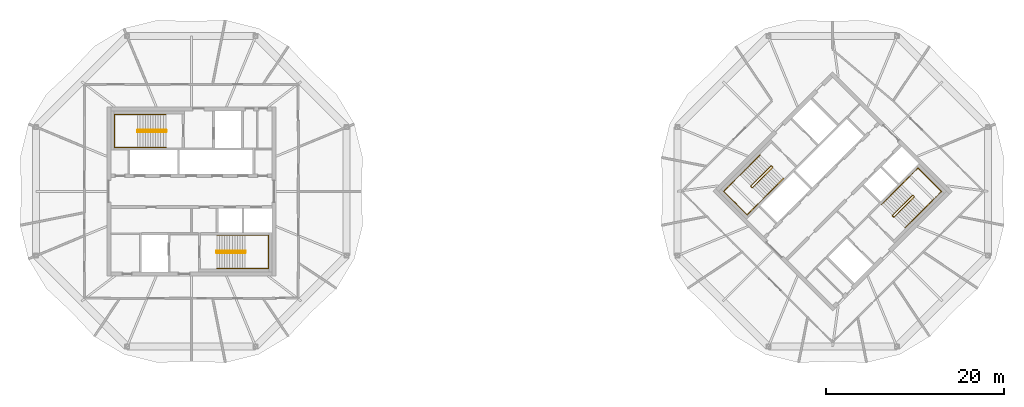
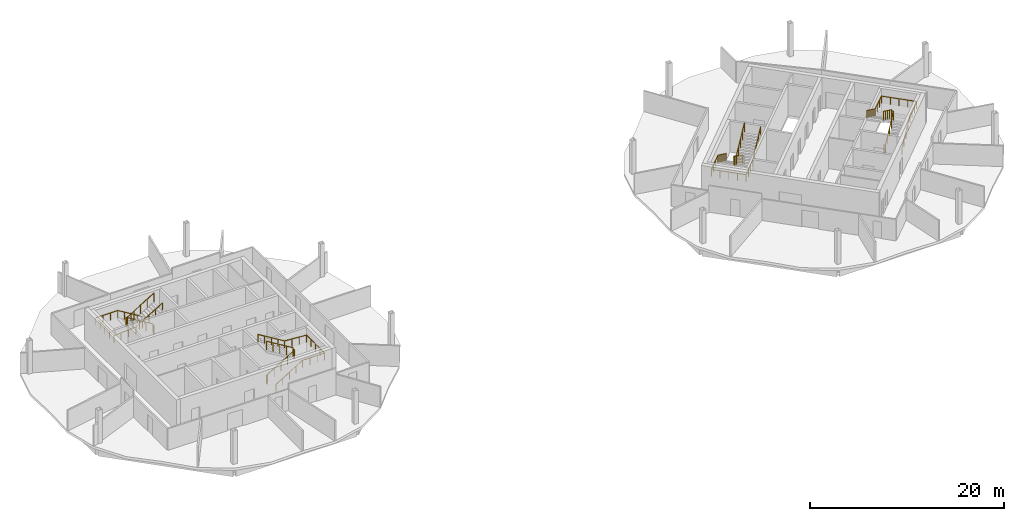
# One storey, part 10 of 10: 8 railings.
"""IFC4 building model written with IfcOpenShell, lengths in metres."""

import ifcopenshell
import ifcopenshell.guid

model = None  # the IFC model being written
_history = None  # IfcOwnerHistory: only IFC2X3 demands one
_inside = {}  # id of a spatial element -> (the spatial element, [elements in it])
_under = {}  # id of a project, library or spatial element -> (it, [spatial elements below it])
_declared = {}  # id of a project -> (the project, [libraries it declares])
_typed = {}  # id of a type object -> (the type object, [elements of that type])
_made_of = {}  # id of a material, layer set ... -> (it, [elements and type objects made of it])


def new_model(schema):
    """Start an empty IFC model of exactly this schema.

    Asked for "IFC4X3", IfcOpenShell would pick the latest addendum, in which some entities
    have other attributes; the version numbers below select the first issue.
    IFC2X3 requires an IfcOwnerHistory on every rooted entity: one is made here for all.
    """
    global model, _history
    if schema == "IFC4X3":
        model = ifcopenshell.file(schema_version=(4, 3, 0, 0))
    else:
        model = ifcopenshell.file(schema=schema)
    _inside.clear()
    _under.clear()
    _declared.clear()
    _typed.clear()
    _made_of.clear()
    _history = None
    if model.schema == "IFC2X3":
        org = make("IfcOrganization", Name="unknown")
        user = make(
            "IfcPersonAndOrganization",
            ThePerson=make("IfcPerson", FamilyName="unknown"),
            TheOrganization=org,
        )
        app = make(
            "IfcApplication",
            ApplicationDeveloper=org,
            Version="unknown",
            ApplicationFullName="unknown",
            ApplicationIdentifier="unknown",
        )
        _history = make(
            "IfcOwnerHistory",
            OwningUser=user,
            OwningApplication=app,
            ChangeAction="ADDED",
            CreationDate=0,
        )
    return model


def make(cls, **values):
    """One entity of the class cls with the attributes given. An attribute that is None is left unset."""
    return model.create_entity(
        cls, **{name: value for name, value in values.items() if value is not None}
    )


def rooted(cls, **values):
    """An entity with a GlobalId (a new one), such as an element, a storey or a relation."""
    return make(cls, GlobalId=ifcopenshell.guid.new(), OwnerHistory=_history, **values)


def si_unit(unit_type, name, prefix=None):
    """IfcSIUnit, for example si_unit("LENGTHUNIT", "METRE", prefix="MILLI")."""
    return make("IfcSIUnit", UnitType=unit_type, Prefix=prefix, Name=name)


def assignment(units):
    """IfcUnitAssignment: the units of a project."""
    return None if units is None else make("IfcUnitAssignment", Units=units)


def point(xyz):
    """IfcCartesianPoint."""
    return None if xyz is None else make("IfcCartesianPoint", Coordinates=xyz)


def direction(xyz):
    """IfcDirection."""
    return None if xyz is None else make("IfcDirection", DirectionRatios=xyz)


def frame(location, z_axis=None, x_axis=None):
    """IfcAxis2Placement3D, a coordinate frame: its origin and axes. An axis left out is left unset."""
    return make(
        "IfcAxis2Placement3D",
        Location=point(location),
        Axis=direction(z_axis),
        RefDirection=direction(x_axis),
    )


def frame_2d(location, x_axis=None):
    """IfcAxis2Placement2D, a coordinate frame in the plane: its origin and x axis."""
    return make(
        "IfcAxis2Placement2D", Location=point(location), RefDirection=direction(x_axis)
    )


def origin():
    """The frame at (0, 0, 0) with its axes left unset."""
    return frame((0.0, 0.0, 0.0))


def origin_2d():
    """The frame at (0, 0) in the plane with its x axis left unset."""
    return frame_2d((0.0, 0.0))


def place(relative_to, where):
    """IfcLocalPlacement: puts the frame where relative to a parent placement (None: the world)."""
    return make(
        "IfcLocalPlacement", PlacementRelTo=relative_to, RelativePlacement=where
    )


def context(
    kind, dimensions, precision=None, world=None, true_north=None, identifier=None
):
    """IfcGeometricRepresentationContext, for example the 3D "Model" context."""
    return make(
        "IfcGeometricRepresentationContext",
        ContextIdentifier=identifier,
        ContextType=kind,
        CoordinateSpaceDimension=dimensions,
        Precision=precision,
        WorldCoordinateSystem=world,
        TrueNorth=true_north,
    )


def subcontext(parent, identifier, kind, view, scale=None):
    """IfcGeometricRepresentationSubContext, for example "Body" below "Model"."""
    return make(
        "IfcGeometricRepresentationSubContext",
        ContextIdentifier=identifier,
        ContextType=kind,
        ParentContext=parent,
        TargetScale=scale,
        TargetView=view,
    )


def project(units=None, contexts=None):
    """IfcProject with its units and contexts."""
    return rooted(
        "IfcProject",
        Name="project",
        RepresentationContexts=contexts,
        UnitsInContext=assignment(units),
    )


def spatial(cls, under=None, at=None, **own):
    """A site, building, storey or space (cls), placed at a placement, below another one or the project."""
    s = rooted(cls, ObjectPlacement=at, **own)
    if under is not None:
        _under.setdefault(under.id(), (under, []))[1].append(s)
    return s


def profile(cls, at=None, kind="AREA", **sizes):
    """A parametric profile (cls). Its sizes go by their IFC names, for example OverallWidth=200.0."""
    return make(cls, ProfileType=kind, Position=at, **sizes)


def circle(**sizes):
    """IfcCircleProfileDef."""
    return profile("IfcCircleProfileDef", **sizes)


def extrude(swept, where, along, depth):
    """IfcExtrudedAreaSolid: the profile swept, set in the frame where, extruded along a direction by depth."""
    return make(
        "IfcExtrudedAreaSolid",
        SweptArea=swept,
        Position=where,
        ExtrudedDirection=direction(along),
        Depth=depth,
    )


def shape(context_of_items, identifier, shape_type, items):
    """IfcShapeRepresentation: the items that make up one representation, for example the "Body"."""
    return make(
        "IfcShapeRepresentation",
        ContextOfItems=context_of_items,
        RepresentationIdentifier=identifier,
        RepresentationType=shape_type,
        Items=items,
    )


def material(Name=None, Category=None):
    """IfcMaterial."""
    return make("IfcMaterial", Name=Name, Category=Category)


def made_of(thing, what):
    """Note that an element or type object is made of a material, layer set ...; save() writes the relation."""
    if what is not None:
        _made_of.setdefault(what.id(), (what, []))[1].append(thing)
    return thing


def type_object(cls, material=None, **own):
    """A type object (cls), such as IfcWallType, which elements share."""
    return made_of(rooted(cls, **own), material)


def element(
    cls,
    number,
    at=None,
    inside=None,
    cuts=None,
    type_object=None,
    material=None,
    context=None,
    identifier="Body",
    shape_type=None,
    held_by="IfcProductDefinitionShape",
    body=None,
    shapes=None,
    **own,
):
    """One element of the class cls, such as IfcWall. Its Tag is "e" and its number.

    at: its placement. inside: the storey or other place that contains it. cuts: it is an
    opening in that element (IfcRelVoidsElement). A single representation is given by context,
    identifier, shape_type and body (its items); several are given by shapes. held_by: the class
    of the entity that holds the representations. save() writes the other relations.
    """
    e = rooted(cls, Tag="e%d" % number, ObjectPlacement=at, **own)
    if body is not None:
        shapes = [shape(context, identifier, shape_type, body)]
    if shapes is not None:
        e.Representation = make(held_by, Representations=shapes)
    if inside is not None:
        _inside.setdefault(inside.id(), (inside, []))[1].append(e)
    if cuts is not None:
        rooted(
            "IfcRelVoidsElement", RelatingBuildingElement=cuts, RelatedOpeningElement=e
        )
    if type_object is not None:
        _typed.setdefault(type_object.id(), (type_object, []))[1].append(e)
    return made_of(e, material)


def aggregate(whole, parts):
    """IfcRelAggregates: a whole, such as a stair, and the parts it consists of."""
    return rooted("IfcRelAggregates", RelatingObject=whole, RelatedObjects=parts)


def save(model, path):
    """Write the relations noted so far, then the file.

    IfcRelAggregates (storeys below a building ...), IfcRelContainedInSpatialStructure (elements
    in a storey), IfcRelDefinesByType, IfcRelAssociatesMaterial and IfcRelDeclares: one each for
    every whole, place, type object, material and project.
    """
    for whole, parts in _under.values():
        aggregate(whole, parts)
    for where, things in _inside.values():
        rooted(
            "IfcRelContainedInSpatialStructure",
            RelatedElements=things,
            RelatingStructure=where,
        )
    for kind, things in _typed.values():
        rooted("IfcRelDefinesByType", RelatedObjects=things, RelatingType=kind)
    for what, things in _made_of.values():
        rooted("IfcRelAssociatesMaterial", RelatedObjects=things, RelatingMaterial=what)
    for by, libraries in _declared.values():
        rooted("IfcRelDeclares", RelatingContext=by, RelatedDefinitions=libraries)
    model.write(path)


model = new_model("IFC4")

# Units and contexts
model_context = context("Model", 3, precision=1e-05, world=origin(), true_north=direction((0.0, 1.0)))
body_context = subcontext(model_context, "Body", "Model", "MODEL_VIEW")
ifc_project = project(units=[si_unit("LENGTHUNIT", "METRE"), si_unit("AREAUNIT", "SQUARE_METRE"), si_unit("VOLUMEUNIT", "CUBIC_METRE"), si_unit("PLANEANGLEUNIT", "RADIAN"), si_unit("MASSUNIT", "GRAM", prefix="KILO")], contexts=[model_context])

# Site, building, storey
site_placement = place(None, origin())
site = spatial("IfcSite", under=ifc_project, at=site_placement, CompositionType="ELEMENT")
building_placement = place(site_placement, origin())
building = spatial("IfcBuilding", under=site, at=building_placement, Name="Ogive Gate Towers", CompositionType="ELEMENT")
storey_placement = place(building_placement, frame((0.0, 0.0, 260.39990234375)))
storey = spatial("IfcBuildingStorey", under=building, at=storey_placement, Name="L61", CompositionType="ELEMENT", Elevation=260.39990234375)

# Railings
ifc_material = material(Name="Stainless steel", Category="steel")
railing_type_1 = type_object("IfcRailingType", Name="Stair guard 1100", PredefinedType="GUARDRAIL", material=ifc_material)
railing_1_placement = place(storey_placement, frame((-38.81494140625, 6.860107421875, 0.0)))
element("IfcRailing", 1, at=railing_1_placement, inside=storey, type_object=railing_type_1, Name="L61 ST1 stair guard 1", PredefinedType="GUARDRAIL", context=body_context, shape_type="SweptSolid", body=[
    extrude(circle(Radius=0.02392578125, at=origin_2d()), frame((0.0, 0.0, 1.076171875), z_axis=(0.0, -1.0, 0.0), x_axis=(1.0, 0.0, 0.0)), (0.0, 0.0, 1.0), 0.14501953125),
    extrude(circle(Radius=0.02392578125, at=origin_2d()), frame((0.0, -0.14501953125, 1.076171875), z_axis=(-0.187693211448, 0.730630159683, 0.656468451746), x_axis=(-0.968551454522, -0.24881334358, 0.0)), (0.0, 0.0, 1.0), 0.2666015625),
    extrude(circle(Radius=0.02392578125, at=origin_2d()), frame((-0.050048828125, 0.0498046875, 1.2509765625), z_axis=(-0.854199828955, 0.0, 0.519944854973), x_axis=(0.0, -1.0, 0.0)), (0.0, 0.0, 1.0), 3.702392578125),
    extrude(circle(Radius=0.02392578125, at=origin_2d()), frame((-3.212646484375, 0.0498046875, 3.17626953125), z_axis=(-0.707106781187, -0.707106781187, 0.0), x_axis=(0.707106781187, -0.707106781187, 0.0)), (0.0, 0.0, 1.0), 0.0703125),
    extrude(circle(Radius=0.02392578125, at=origin_2d()), frame((-3.262451171875, 0.0, 3.17626953125), z_axis=(0.0, -1.0, 0.0), x_axis=(1.0, 0.0, 0.0)), (0.0, 0.0, 1.0), 0.14501953125),
    extrude(circle(Radius=0.02392578125, at=origin_2d()), frame((-3.262451171875, -0.14501953125, 3.17626953125), z_axis=(0.263862480399, -0.265155923931, 0.927399011991), x_axis=(0.708833529934, 0.705375805398, 0.0)), (0.0, 0.0, 1.0), 0.188720703125),
    extrude(circle(Radius=0.02392578125, at=origin_2d()), frame((-3.212646484375, -0.195068359375, 3.35107421875), z_axis=(0.854199828955, 0.0, 0.519944854973), x_axis=(0.0, 1.0, 0.0)), (0.0, 0.0, 1.0), 3.702392578125),
    extrude(circle(Radius=0.02099609375, at=origin_2d()), origin(), (0.0, 0.0, 1.0), 1.052001953125),
    extrude(circle(Radius=0.02099609375, at=origin_2d()), frame((0.0, -0.14501953125, 0.0)), (0.0, 0.0, 1.0), 1.052001953125),
    extrude(circle(Radius=0.02099609375, at=origin_2d()), frame((-0.050048828125, 0.0498046875, 0.175048828125)), (0.0, 0.0, 1.0), 1.052001953125),
    extrude(circle(Radius=0.02099609375, at=origin_2d()), frame((-0.8408203125, 0.0498046875, 0.65625)), (0.0, 0.0, 1.0), 1.052001953125),
    extrude(circle(Radius=0.02099609375, at=origin_2d()), frame((-1.63134765625, 0.0498046875, 1.1376953125)), (0.0, 0.0, 1.0), 1.052001953125),
    extrude(circle(Radius=0.02099609375, at=origin_2d()), frame((-2.421875, 0.0498046875, 1.618896484375)), (0.0, 0.0, 1.0), 1.052001953125),
    extrude(circle(Radius=0.02099609375, at=origin_2d()), frame((-3.212646484375, 0.0498046875, 2.10009765625)), (0.0, 0.0, 1.0), 1.052001953125),
    extrude(circle(Radius=0.02099609375, at=origin_2d()), frame((-3.262451171875, 0.0, 2.10009765625)), (0.0, 0.0, 1.0), 1.052001953125),
    extrude(circle(Radius=0.02099609375, at=origin_2d()), frame((-3.262451171875, -0.14501953125, 2.10009765625)), (0.0, 0.0, 1.0), 1.052001953125),
    extrude(circle(Radius=0.02099609375, at=origin_2d()), frame((-3.212646484375, -0.195068359375, 2.275146484375)), (0.0, 0.0, 1.0), 1.052001953125),
    extrude(circle(Radius=0.02099609375, at=origin_2d()), frame((-2.421875, -0.195068359375, 2.75634765625)), (0.0, 0.0, 1.0), 1.052001953125),
    extrude(circle(Radius=0.02099609375, at=origin_2d()), frame((-1.63134765625, -0.195068359375, 3.23779296875)), (0.0, 0.0, 1.0), 1.052001953125),
    extrude(circle(Radius=0.02099609375, at=origin_2d()), frame((-0.8408203125, -0.195068359375, 3.718994140625)), (0.0, 0.0, 1.0), 1.052001953125),
    extrude(circle(Radius=0.02099609375, at=origin_2d()), frame((-0.050048828125, -0.195068359375, 4.2001953125)), (0.0, 0.0, 1.0), 1.052001953125),
])
railing_2_placement = place(storey_placement, frame((-33.18505859375, -6.860107421875, 0.0)))
element("IfcRailing", 2, at=railing_2_placement, inside=storey, type_object=railing_type_1, Name="L61 ST2 stair guard 1", PredefinedType="GUARDRAIL", context=body_context, shape_type="SweptSolid", body=[
    extrude(circle(Radius=0.02392578125, at=origin_2d()), frame((0.0, 0.0, 1.076171875), z_axis=(0.0, 1.0, 0.0), x_axis=(-1.0, 0.0, 0.0)), (0.0, 0.0, 1.0), 0.14501953125),
    extrude(circle(Radius=0.02392578125, at=origin_2d()), frame((0.0, 0.14501953125, 1.076171875), z_axis=(0.187693211448, -0.730630159683, 0.656468451746), x_axis=(0.968551454522, 0.24881334358, 0.0)), (0.0, 0.0, 1.0), 0.2666015625),
    extrude(circle(Radius=0.02392578125, at=origin_2d()), frame((0.050048828125, -0.0498046875, 1.2509765625), z_axis=(0.854199828955, 0.0, 0.519944854973), x_axis=(0.0, 1.0, 0.0)), (0.0, 0.0, 1.0), 3.702392578125),
    extrude(circle(Radius=0.02392578125, at=origin_2d()), frame((3.212646484375, -0.0498046875, 3.17626953125), z_axis=(0.707106781187, 0.707106781187, 0.0), x_axis=(-0.707106781187, 0.707106781187, 0.0)), (0.0, 0.0, 1.0), 0.0703125),
    extrude(circle(Radius=0.02392578125, at=origin_2d()), frame((3.262451171875, 0.0, 3.17626953125), z_axis=(0.0, 1.0, 0.0), x_axis=(-1.0, 0.0, 0.0)), (0.0, 0.0, 1.0), 0.14501953125),
    extrude(circle(Radius=0.02392578125, at=origin_2d()), frame((3.262451171875, 0.14501953125, 3.17626953125), z_axis=(-0.263862480399, 0.265155923931, 0.927399011991), x_axis=(-0.708833529934, -0.705375805398, 0.0)), (0.0, 0.0, 1.0), 0.188720703125),
    extrude(circle(Radius=0.02392578125, at=origin_2d()), frame((3.212646484375, 0.195068359375, 3.35107421875), z_axis=(-0.854199828955, 0.0, 0.519944854973), x_axis=(0.0, -1.0, 0.0)), (0.0, 0.0, 1.0), 3.702392578125),
    extrude(circle(Radius=0.02099609375, at=origin_2d()), origin(), (0.0, 0.0, 1.0), 1.052001953125),
    extrude(circle(Radius=0.02099609375, at=origin_2d()), frame((0.0, 0.14501953125, 0.0)), (0.0, 0.0, 1.0), 1.052001953125),
    extrude(circle(Radius=0.02099609375, at=origin_2d()), frame((0.050048828125, -0.0498046875, 0.175048828125)), (0.0, 0.0, 1.0), 1.052001953125),
    extrude(circle(Radius=0.02099609375, at=origin_2d()), frame((0.8408203125, -0.0498046875, 0.65625)), (0.0, 0.0, 1.0), 1.052001953125),
    extrude(circle(Radius=0.02099609375, at=origin_2d()), frame((1.63134765625, -0.0498046875, 1.1376953125)), (0.0, 0.0, 1.0), 1.052001953125),
    extrude(circle(Radius=0.02099609375, at=origin_2d()), frame((2.421875, -0.0498046875, 1.618896484375)), (0.0, 0.0, 1.0), 1.052001953125),
    extrude(circle(Radius=0.02099609375, at=origin_2d()), frame((3.212646484375, -0.0498046875, 2.10009765625)), (0.0, 0.0, 1.0), 1.052001953125),
    extrude(circle(Radius=0.02099609375, at=origin_2d()), frame((3.262451171875, 0.0, 2.10009765625)), (0.0, 0.0, 1.0), 1.052001953125),
    extrude(circle(Radius=0.02099609375, at=origin_2d()), frame((3.262451171875, 0.14501953125, 2.10009765625)), (0.0, 0.0, 1.0), 1.052001953125),
    extrude(circle(Radius=0.02099609375, at=origin_2d()), frame((3.212646484375, 0.195068359375, 2.275146484375)), (0.0, 0.0, 1.0), 1.052001953125),
    extrude(circle(Radius=0.02099609375, at=origin_2d()), frame((2.421875, 0.195068359375, 2.75634765625)), (0.0, 0.0, 1.0), 1.052001953125),
    extrude(circle(Radius=0.02099609375, at=origin_2d()), frame((1.63134765625, 0.195068359375, 3.23779296875)), (0.0, 0.0, 1.0), 1.052001953125),
    extrude(circle(Radius=0.02099609375, at=origin_2d()), frame((0.8408203125, 0.195068359375, 3.718994140625)), (0.0, 0.0, 1.0), 1.052001953125),
    extrude(circle(Radius=0.02099609375, at=origin_2d()), frame((0.050048828125, 0.195068359375, 4.2001953125)), (0.0, 0.0, 1.0), 1.052001953125),
])
railing_3_placement = place(storey_placement, frame((29.15869140625, 2.8603515625, 0.0)))
element("IfcRailing", 3, at=railing_3_placement, inside=storey, type_object=railing_type_1, Name="L61 ST1 stair guard 1", PredefinedType="GUARDRAIL", context=body_context, shape_type="SweptSolid", body=[
    extrude(circle(Radius=0.02392578125, at=origin_2d()), frame((0.0, 0.0, 1.076171875), z_axis=(0.707106781187, -0.707106781187, 0.0), x_axis=(0.707106781187, 0.707106781187, 0.0)), (0.0, 0.0, 1.0), 0.14501953125),
    extrude(circle(Radius=0.02392578125, at=origin_2d()), frame((0.1025390625, -0.1025390625, 1.076171875), z_axis=(-0.649075284728, 0.384501579105, 0.65639912433), x_axis=(-0.509669330572, -0.860370369942, 0.0)), (0.0, 0.0, 1.0), 0.2666015625),
    extrude(circle(Radius=0.02392578125, at=origin_2d()), frame((-0.070556640625, 0.0, 1.2509765625), z_axis=(-0.604012965068, -0.604012965068, 0.519939108031), x_axis=(0.707106781187, -0.707106781187, 0.0)), (0.0, 0.0, 1.0), 3.702392578125),
    extrude(circle(Radius=0.02392578125, at=origin_2d()), frame((-2.306884765625, -2.236328125, 3.17626953125), z_axis=(0.0, -1.0, 0.0), x_axis=(1.0, 0.0, 0.0)), (0.0, 0.0, 1.0), 0.07080078125),
    extrude(circle(Radius=0.02392578125, at=origin_2d()), frame((-2.306884765625, -2.30712890625, 3.17626953125), z_axis=(0.707106781187, -0.707106781187, 0.0), x_axis=(0.707106781187, 0.707106781187, 0.0)), (0.0, 0.0, 1.0), 0.14501953125),
    extrude(circle(Radius=0.02392578125, at=origin_2d()), frame((-2.204345703125, -2.40966796875, 3.17626953125), z_axis=(0.374954686889, 0.0, 0.927043139654), x_axis=(0.0, 1.0, 0.0)), (0.0, 0.0, 1.0), 0.188720703125),
    extrude(circle(Radius=0.02392578125, at=origin_2d()), frame((-2.133544921875, -2.40966796875, 3.35107421875), z_axis=(0.603971079388, 0.604037022294, 0.51995981668), x_axis=(-0.707145379772, 0.707068180494, 0.0)), (0.0, 0.0, 1.0), 3.702392578125),
    extrude(circle(Radius=0.02099609375, at=origin_2d()), origin(), (0.0, 0.0, 1.0), 1.052001953125),
    extrude(circle(Radius=0.02099609375, at=origin_2d()), frame((0.1025390625, -0.1025390625, 0.0)), (0.0, 0.0, 1.0), 1.052001953125),
    extrude(circle(Radius=0.02099609375, at=origin_2d()), frame((-0.070556640625, 0.0, 0.175048828125)), (0.0, 0.0, 1.0), 1.052001953125),
    extrude(circle(Radius=0.02099609375, at=origin_2d()), frame((-0.629638671875, -0.55908203125, 0.65625)), (0.0, 0.0, 1.0), 1.052001953125),
    extrude(circle(Radius=0.02099609375, at=origin_2d()), frame((-1.188720703125, -1.1181640625, 1.1376953125)), (0.0, 0.0, 1.0), 1.052001953125),
    extrude(circle(Radius=0.02099609375, at=origin_2d()), frame((-1.747802734375, -1.67724609375, 1.618896484375)), (0.0, 0.0, 1.0), 1.052001953125),
    extrude(circle(Radius=0.02099609375, at=origin_2d()), frame((-2.306884765625, -2.236328125, 2.10009765625)), (0.0, 0.0, 1.0), 1.052001953125),
    extrude(circle(Radius=0.02099609375, at=origin_2d()), frame((-2.306884765625, -2.30712890625, 2.10009765625)), (0.0, 0.0, 1.0), 1.052001953125),
    extrude(circle(Radius=0.02099609375, at=origin_2d()), frame((-2.204345703125, -2.40966796875, 2.10009765625)), (0.0, 0.0, 1.0), 1.052001953125),
    extrude(circle(Radius=0.02099609375, at=origin_2d()), frame((-2.133544921875, -2.40966796875, 2.275146484375)), (0.0, 0.0, 1.0), 1.052001953125),
    extrude(circle(Radius=0.02099609375, at=origin_2d()), frame((-1.574462890625, -1.8505859375, 2.75634765625)), (0.0, 0.0, 1.0), 1.052001953125),
    extrude(circle(Radius=0.02099609375, at=origin_2d()), frame((-1.015625, -1.29150390625, 3.23779296875)), (0.0, 0.0, 1.0), 1.052001953125),
    extrude(circle(Radius=0.02099609375, at=origin_2d()), frame((-0.45654296875, -0.732421875, 3.718994140625)), (0.0, 0.0, 1.0), 1.052001953125),
    extrude(circle(Radius=0.02099609375, at=origin_2d()), frame((0.1025390625, -0.17333984375, 4.2001953125)), (0.0, 0.0, 1.0), 1.052001953125),
])
railing_4_placement = place(storey_placement, frame((42.84130859375, -2.8603515625, 0.0)))
element("IfcRailing", 4, at=railing_4_placement, inside=storey, type_object=railing_type_1, Name="L61 ST2 stair guard 1", PredefinedType="GUARDRAIL", context=body_context, shape_type="SweptSolid", body=[
    extrude(circle(Radius=0.02392578125, at=origin_2d()), frame((0.0, 0.0, 1.076171875), z_axis=(-0.707106781187, 0.707106781187, 0.0), x_axis=(-0.707106781187, -0.707106781187, 0.0)), (0.0, 0.0, 1.0), 0.14501953125),
    extrude(circle(Radius=0.02392578125, at=origin_2d()), frame((-0.1025390625, 0.1025390625, 1.076171875), z_axis=(0.649075284728, -0.384501579105, 0.65639912433), x_axis=(0.509669330572, 0.860370369942, 0.0)), (0.0, 0.0, 1.0), 0.2666015625),
    extrude(circle(Radius=0.02392578125, at=origin_2d()), frame((0.070556640625, 0.0, 1.2509765625), z_axis=(0.604012965068, 0.604012965068, 0.519939108031), x_axis=(-0.707106781187, 0.707106781187, 0.0)), (0.0, 0.0, 1.0), 3.702392578125),
    extrude(circle(Radius=0.02392578125, at=origin_2d()), frame((2.306884765625, 2.236328125, 3.17626953125), z_axis=(0.0, 1.0, 0.0), x_axis=(-1.0, 0.0, 0.0)), (0.0, 0.0, 1.0), 0.07080078125),
    extrude(circle(Radius=0.02392578125, at=origin_2d()), frame((2.306884765625, 2.30712890625, 3.17626953125), z_axis=(-0.707106781187, 0.707106781187, 0.0), x_axis=(-0.707106781187, -0.707106781187, 0.0)), (0.0, 0.0, 1.0), 0.14501953125),
    extrude(circle(Radius=0.02392578125, at=origin_2d()), frame((2.204345703125, 2.40966796875, 3.17626953125), z_axis=(-0.374954686889, 0.0, 0.927043139654), x_axis=(0.0, -1.0, 0.0)), (0.0, 0.0, 1.0), 0.188720703125),
    extrude(circle(Radius=0.02392578125, at=origin_2d()), frame((2.133544921875, 2.40966796875, 3.35107421875), z_axis=(-0.603971079388, -0.604037022294, 0.51995981668), x_axis=(0.707145379772, -0.707068180494, 0.0)), (0.0, 0.0, 1.0), 3.702392578125),
    extrude(circle(Radius=0.02099609375, at=origin_2d()), origin(), (0.0, 0.0, 1.0), 1.052001953125),
    extrude(circle(Radius=0.02099609375, at=origin_2d()), frame((-0.1025390625, 0.1025390625, 0.0)), (0.0, 0.0, 1.0), 1.052001953125),
    extrude(circle(Radius=0.02099609375, at=origin_2d()), frame((0.070556640625, 0.0, 0.175048828125)), (0.0, 0.0, 1.0), 1.052001953125),
    extrude(circle(Radius=0.02099609375, at=origin_2d()), frame((0.629638671875, 0.55908203125, 0.65625)), (0.0, 0.0, 1.0), 1.052001953125),
    extrude(circle(Radius=0.02099609375, at=origin_2d()), frame((1.188720703125, 1.1181640625, 1.1376953125)), (0.0, 0.0, 1.0), 1.052001953125),
    extrude(circle(Radius=0.02099609375, at=origin_2d()), frame((1.747802734375, 1.67724609375, 1.618896484375)), (0.0, 0.0, 1.0), 1.052001953125),
    extrude(circle(Radius=0.02099609375, at=origin_2d()), frame((2.306884765625, 2.236328125, 2.10009765625)), (0.0, 0.0, 1.0), 1.052001953125),
    extrude(circle(Radius=0.02099609375, at=origin_2d()), frame((2.306884765625, 2.30712890625, 2.10009765625)), (0.0, 0.0, 1.0), 1.052001953125),
    extrude(circle(Radius=0.02099609375, at=origin_2d()), frame((2.204345703125, 2.40966796875, 2.10009765625)), (0.0, 0.0, 1.0), 1.052001953125),
    extrude(circle(Radius=0.02099609375, at=origin_2d()), frame((2.133544921875, 2.40966796875, 2.275146484375)), (0.0, 0.0, 1.0), 1.052001953125),
    extrude(circle(Radius=0.02099609375, at=origin_2d()), frame((1.574462890625, 1.8505859375, 2.75634765625)), (0.0, 0.0, 1.0), 1.052001953125),
    extrude(circle(Radius=0.02099609375, at=origin_2d()), frame((1.015625, 1.29150390625, 3.23779296875)), (0.0, 0.0, 1.0), 1.052001953125),
    extrude(circle(Radius=0.02099609375, at=origin_2d()), frame((0.45654296875, 0.732421875, 3.718994140625)), (0.0, 0.0, 1.0), 1.052001953125),
    extrude(circle(Radius=0.02099609375, at=origin_2d()), frame((-0.1025390625, 0.17333984375, 4.2001953125)), (0.0, 0.0, 1.0), 1.052001953125),
])
railing_type_2 = type_object("IfcRailingType", Name="Stair handrail 900", PredefinedType="HANDRAIL", material=ifc_material)
railing_5_placement = place(storey_placement, frame((-38.864990234375, 8.64990234375, 0.175048828125)))
element("IfcRailing", 5, at=railing_5_placement, inside=storey, type_object=railing_type_2, Name="L61 ST1 stair handrail 1", PredefinedType="HANDRAIL", context=body_context, shape_type="SweptSolid", body=[
    extrude(circle(Radius=0.02392578125, at=origin_2d()), frame((0.0, 0.0, 0.8759765625), z_axis=(-0.854199828955, 0.0, 0.519944854973), x_axis=(0.0, -1.0, 0.0)), (0.0, 0.0, 1.0), 3.702392578125),
    extrude(circle(Radius=0.02392578125, at=origin_2d()), frame((-3.16259765625, 0.0, 2.80078125), z_axis=(-1.0, 0.0, 0.0), x_axis=(0.0, -1.0, 0.0)), (0.0, 0.0, 1.0), 2.622314453125),
    extrude(circle(Radius=0.02392578125, at=origin_2d()), frame((-5.784912109375, 0.0, 2.80078125), z_axis=(0.0, -1.0, 0.0), x_axis=(1.0, 0.0, 0.0)), (0.0, 0.0, 1.0), 3.724853515625),
    extrude(circle(Radius=0.02392578125, at=origin_2d()), frame((-5.784912109375, -3.724853515625, 2.80078125), z_axis=(0.997779399599, 0.0, 0.066605328136), x_axis=(0.0, 1.0, 0.0)), (0.0, 0.0, 1.0), 2.628173828125),
    extrude(circle(Radius=0.02392578125, at=origin_2d()), frame((-3.16259765625, -3.724853515625, 2.97607421875), z_axis=(0.854199828955, 0.0, 0.519944854973), x_axis=(0.0, 1.0, 0.0)), (0.0, 0.0, 1.0), 3.702392578125),
    extrude(circle(Radius=0.02099609375, at=origin_2d()), origin(), (0.0, 0.0, 1.0), 0.851806640625),
    extrude(circle(Radius=0.02099609375, at=origin_2d()), frame((-0.79052734375, 0.0, 0.481201171875)), (0.0, 0.0, 1.0), 0.851806640625),
    extrude(circle(Radius=0.02099609375, at=origin_2d()), frame((-1.581298828125, 0.0, 0.96240234375)), (0.0, 0.0, 1.0), 0.851806640625),
    extrude(circle(Radius=0.02099609375, at=origin_2d()), frame((-2.3720703125, 0.0, 1.44384765625)), (0.0, 0.0, 1.0), 0.851806640625),
    extrude(circle(Radius=0.02099609375, at=origin_2d()), frame((-3.16259765625, 0.0, 1.925048828125)), (0.0, 0.0, 1.0), 0.851806640625),
    extrude(circle(Radius=0.02099609375, at=origin_2d()), frame((-4.03662109375, 0.0, 1.925048828125)), (0.0, 0.0, 1.0), 0.851806640625),
    extrude(circle(Radius=0.02099609375, at=origin_2d()), frame((-4.910888671875, 0.0, 1.925048828125)), (0.0, 0.0, 1.0), 0.851806640625),
    extrude(circle(Radius=0.02099609375, at=origin_2d()), frame((-5.784912109375, 0.0, 1.925048828125)), (0.0, 0.0, 1.0), 0.851806640625),
    extrude(circle(Radius=0.02099609375, at=origin_2d()), frame((-5.784912109375, -0.93115234375, 1.925048828125)), (0.0, 0.0, 1.0), 0.851806640625),
    extrude(circle(Radius=0.02099609375, at=origin_2d()), frame((-5.784912109375, -1.8623046875, 1.925048828125)), (0.0, 0.0, 1.0), 0.851806640625),
    extrude(circle(Radius=0.02099609375, at=origin_2d()), frame((-5.784912109375, -2.793701171875, 1.925048828125)), (0.0, 0.0, 1.0), 0.851806640625),
    extrude(circle(Radius=0.02099609375, at=origin_2d()), frame((-5.784912109375, -3.724853515625, 1.925048828125)), (0.0, 0.0, 1.0), 0.851806640625),
    extrude(circle(Radius=0.02099609375, at=origin_2d()), frame((-4.910888671875, -3.724853515625, 1.9833984375)), (0.0, 0.0, 1.0), 0.851806640625),
    extrude(circle(Radius=0.02099609375, at=origin_2d()), frame((-4.03662109375, -3.724853515625, 2.041748046875)), (0.0, 0.0, 1.0), 0.851806640625),
    extrude(circle(Radius=0.02099609375, at=origin_2d()), frame((-3.16259765625, -3.724853515625, 2.10009765625)), (0.0, 0.0, 1.0), 0.851806640625),
    extrude(circle(Radius=0.02099609375, at=origin_2d()), frame((-2.3720703125, -3.724853515625, 2.581298828125)), (0.0, 0.0, 1.0), 0.851806640625),
    extrude(circle(Radius=0.02099609375, at=origin_2d()), frame((-1.581298828125, -3.724853515625, 3.0625)), (0.0, 0.0, 1.0), 0.851806640625),
    extrude(circle(Radius=0.02099609375, at=origin_2d()), frame((-0.79052734375, -3.724853515625, 3.5439453125)), (0.0, 0.0, 1.0), 0.851806640625),
    extrude(circle(Radius=0.02099609375, at=origin_2d()), frame((0.0, -3.724853515625, 4.025146484375)), (0.0, 0.0, 1.0), 0.851806640625),
])
railing_6_placement = place(storey_placement, frame((-33.135009765625, -8.64990234375, 0.175048828125)))
element("IfcRailing", 6, at=railing_6_placement, inside=storey, type_object=railing_type_2, Name="L61 ST2 stair handrail 1", PredefinedType="HANDRAIL", context=body_context, shape_type="SweptSolid", body=[
    extrude(circle(Radius=0.02392578125, at=origin_2d()), frame((0.0, 0.0, 0.8759765625), z_axis=(0.854199828955, 0.0, 0.519944854973), x_axis=(0.0, 1.0, 0.0)), (0.0, 0.0, 1.0), 3.702392578125),
    extrude(circle(Radius=0.02392578125, at=origin_2d()), frame((3.16259765625, 0.0, 2.80078125), z_axis=(1.0, 0.0, 0.0), x_axis=(0.0, 1.0, 0.0)), (0.0, 0.0, 1.0), 2.622314453125),
    extrude(circle(Radius=0.02392578125, at=origin_2d()), frame((5.784912109375, 0.0, 2.80078125), z_axis=(0.0, 1.0, 0.0), x_axis=(-1.0, 0.0, 0.0)), (0.0, 0.0, 1.0), 3.724853515625),
    extrude(circle(Radius=0.02392578125, at=origin_2d()), frame((5.784912109375, 3.724853515625, 2.80078125), z_axis=(-0.997779399599, 0.0, 0.066605328136), x_axis=(0.0, -1.0, 0.0)), (0.0, 0.0, 1.0), 2.628173828125),
    extrude(circle(Radius=0.02392578125, at=origin_2d()), frame((3.16259765625, 3.724853515625, 2.97607421875), z_axis=(-0.854199828955, 0.0, 0.519944854973), x_axis=(0.0, -1.0, 0.0)), (0.0, 0.0, 1.0), 3.702392578125),
    extrude(circle(Radius=0.02099609375, at=origin_2d()), origin(), (0.0, 0.0, 1.0), 0.851806640625),
    extrude(circle(Radius=0.02099609375, at=origin_2d()), frame((0.79052734375, 0.0, 0.481201171875)), (0.0, 0.0, 1.0), 0.851806640625),
    extrude(circle(Radius=0.02099609375, at=origin_2d()), frame((1.581298828125, 0.0, 0.96240234375)), (0.0, 0.0, 1.0), 0.851806640625),
    extrude(circle(Radius=0.02099609375, at=origin_2d()), frame((2.3720703125, 0.0, 1.44384765625)), (0.0, 0.0, 1.0), 0.851806640625),
    extrude(circle(Radius=0.02099609375, at=origin_2d()), frame((3.16259765625, 0.0, 1.925048828125)), (0.0, 0.0, 1.0), 0.851806640625),
    extrude(circle(Radius=0.02099609375, at=origin_2d()), frame((4.03662109375, 0.0, 1.925048828125)), (0.0, 0.0, 1.0), 0.851806640625),
    extrude(circle(Radius=0.02099609375, at=origin_2d()), frame((4.910888671875, 0.0, 1.925048828125)), (0.0, 0.0, 1.0), 0.851806640625),
    extrude(circle(Radius=0.02099609375, at=origin_2d()), frame((5.784912109375, 0.0, 1.925048828125)), (0.0, 0.0, 1.0), 0.851806640625),
    extrude(circle(Radius=0.02099609375, at=origin_2d()), frame((5.784912109375, 0.93115234375, 1.925048828125)), (0.0, 0.0, 1.0), 0.851806640625),
    extrude(circle(Radius=0.02099609375, at=origin_2d()), frame((5.784912109375, 1.8623046875, 1.925048828125)), (0.0, 0.0, 1.0), 0.851806640625),
    extrude(circle(Radius=0.02099609375, at=origin_2d()), frame((5.784912109375, 2.793701171875, 1.925048828125)), (0.0, 0.0, 1.0), 0.851806640625),
    extrude(circle(Radius=0.02099609375, at=origin_2d()), frame((5.784912109375, 3.724853515625, 1.925048828125)), (0.0, 0.0, 1.0), 0.851806640625),
    extrude(circle(Radius=0.02099609375, at=origin_2d()), frame((4.910888671875, 3.724853515625, 1.9833984375)), (0.0, 0.0, 1.0), 0.851806640625),
    extrude(circle(Radius=0.02099609375, at=origin_2d()), frame((4.03662109375, 3.724853515625, 2.041748046875)), (0.0, 0.0, 1.0), 0.851806640625),
    extrude(circle(Radius=0.02099609375, at=origin_2d()), frame((3.16259765625, 3.724853515625, 2.10009765625)), (0.0, 0.0, 1.0), 0.851806640625),
    extrude(circle(Radius=0.02099609375, at=origin_2d()), frame((2.3720703125, 3.724853515625, 2.581298828125)), (0.0, 0.0, 1.0), 0.851806640625),
    extrude(circle(Radius=0.02099609375, at=origin_2d()), frame((1.581298828125, 3.724853515625, 3.0625)), (0.0, 0.0, 1.0), 0.851806640625),
    extrude(circle(Radius=0.02099609375, at=origin_2d()), frame((0.79052734375, 3.724853515625, 3.5439453125)), (0.0, 0.0, 1.0), 0.851806640625),
    extrude(circle(Radius=0.02099609375, at=origin_2d()), frame((0.0, 3.724853515625, 4.025146484375)), (0.0, 0.0, 1.0), 0.851806640625),
])
railing_7_placement = place(storey_placement, frame((27.857666015625, 4.090576171875, 0.175048828125)))
element("IfcRailing", 7, at=railing_7_placement, inside=storey, type_object=railing_type_2, Name="L61 ST1 stair handrail 1", PredefinedType="HANDRAIL", context=body_context, shape_type="SweptSolid", body=[
    extrude(circle(Radius=0.02392578125, at=origin_2d()), frame((0.0, 0.0, 0.8759765625), z_axis=(-0.604037022294, -0.603971079388, 0.51995981668), x_axis=(0.707068180494, -0.707145379772, 0.0)), (0.0, 0.0, 1.0), 3.702392578125),
    extrude(circle(Radius=0.02392578125, at=origin_2d()), frame((-2.236328125, -2.236083984375, 2.80078125), z_axis=(-0.70706023191, -0.707153327399, 0.0), x_axis=(0.707153327399, -0.70706023191, 0.0)), (0.0, 0.0, 1.0), 2.62255859375),
    extrude(circle(Radius=0.02392578125, at=origin_2d()), frame((-4.090576171875, -4.090576171875, 2.80078125), z_axis=(0.707106781187, -0.707106781187, 0.0), x_axis=(0.707106781187, 0.707106781187, 0.0)), (0.0, 0.0, 1.0), 3.72509765625),
    extrude(circle(Radius=0.02392578125, at=origin_2d()), frame((-1.45654296875, -6.724609375, 2.80078125), z_axis=(0.705490325719, 0.705583214505, 0.066601259189), x_axis=(-0.707153327399, 0.70706023191, 0.0)), (0.0, 0.0, 1.0), 2.62841796875),
    extrude(circle(Radius=0.02392578125, at=origin_2d()), frame((0.397705078125, -4.8701171875, 2.97607421875), z_axis=(0.604037022294, 0.603971079388, 0.51995981668), x_axis=(-0.707068180494, 0.707145379772, 0.0)), (0.0, 0.0, 1.0), 3.702392578125),
    extrude(circle(Radius=0.02099609375, at=origin_2d()), origin(), (0.0, 0.0, 1.0), 0.851806640625),
    extrude(circle(Radius=0.02099609375, at=origin_2d()), frame((-0.55908203125, -0.55908203125, 0.481201171875)), (0.0, 0.0, 1.0), 0.851806640625),
    extrude(circle(Radius=0.02099609375, at=origin_2d()), frame((-1.1181640625, -1.1181640625, 0.96240234375)), (0.0, 0.0, 1.0), 0.851806640625),
    extrude(circle(Radius=0.02099609375, at=origin_2d()), frame((-1.67724609375, -1.677001953125, 1.44384765625)), (0.0, 0.0, 1.0), 0.851806640625),
    extrude(circle(Radius=0.02099609375, at=origin_2d()), frame((-2.236328125, -2.236083984375, 1.925048828125)), (0.0, 0.0, 1.0), 0.851806640625),
    extrude(circle(Radius=0.02099609375, at=origin_2d()), frame((-2.8544921875, -2.854248046875, 1.925048828125)), (0.0, 0.0, 1.0), 0.851806640625),
    extrude(circle(Radius=0.02099609375, at=origin_2d()), frame((-3.472412109375, -3.472412109375, 1.925048828125)), (0.0, 0.0, 1.0), 0.851806640625),
    extrude(circle(Radius=0.02099609375, at=origin_2d()), frame((-4.090576171875, -4.090576171875, 1.925048828125)), (0.0, 0.0, 1.0), 0.851806640625),
    extrude(circle(Radius=0.02099609375, at=origin_2d()), frame((-3.43212890625, -4.7490234375, 1.925048828125)), (0.0, 0.0, 1.0), 0.851806640625),
    extrude(circle(Radius=0.02099609375, at=origin_2d()), frame((-2.7734375, -5.40771484375, 1.925048828125)), (0.0, 0.0, 1.0), 0.851806640625),
    extrude(circle(Radius=0.02099609375, at=origin_2d()), frame((-2.114990234375, -6.066162109375, 1.925048828125)), (0.0, 0.0, 1.0), 0.851806640625),
    extrude(circle(Radius=0.02099609375, at=origin_2d()), frame((-1.45654296875, -6.724609375, 1.925048828125)), (0.0, 0.0, 1.0), 0.851806640625),
    extrude(circle(Radius=0.02099609375, at=origin_2d()), frame((-0.83837890625, -6.1064453125, 1.9833984375)), (0.0, 0.0, 1.0), 0.851806640625),
    extrude(circle(Radius=0.02099609375, at=origin_2d()), frame((-0.220458984375, -5.48828125, 2.041748046875)), (0.0, 0.0, 1.0), 0.851806640625),
    extrude(circle(Radius=0.02099609375, at=origin_2d()), frame((0.397705078125, -4.8701171875, 2.10009765625)), (0.0, 0.0, 1.0), 0.851806640625),
    extrude(circle(Radius=0.02099609375, at=origin_2d()), frame((0.956787109375, -4.31103515625, 2.581298828125)), (0.0, 0.0, 1.0), 0.851806640625),
    extrude(circle(Radius=0.02099609375, at=origin_2d()), frame((1.515869140625, -3.751953125, 3.0625)), (0.0, 0.0, 1.0), 0.851806640625),
    extrude(circle(Radius=0.02099609375, at=origin_2d()), frame((2.074951171875, -3.193115234375, 3.5439453125)), (0.0, 0.0, 1.0), 0.851806640625),
    extrude(circle(Radius=0.02099609375, at=origin_2d()), frame((2.634033203125, -2.634033203125, 4.025146484375)), (0.0, 0.0, 1.0), 0.851806640625),
])
railing_8_placement = place(storey_placement, frame((44.142333984375, -4.090576171875, 0.175048828125)))
element("IfcRailing", 8, at=railing_8_placement, inside=storey, type_object=railing_type_2, Name="L61 ST2 stair handrail 1", PredefinedType="HANDRAIL", context=body_context, shape_type="SweptSolid", body=[
    extrude(circle(Radius=0.02392578125, at=origin_2d()), frame((0.0, 0.0, 0.8759765625), z_axis=(0.604037022294, 0.603971079388, 0.51995981668), x_axis=(-0.707068180494, 0.707145379772, 0.0)), (0.0, 0.0, 1.0), 3.702392578125),
    extrude(circle(Radius=0.02392578125, at=origin_2d()), frame((2.236328125, 2.236083984375, 2.80078125), z_axis=(0.70706023191, 0.707153327399, 0.0), x_axis=(-0.707153327399, 0.70706023191, 0.0)), (0.0, 0.0, 1.0), 2.62255859375),
    extrude(circle(Radius=0.02392578125, at=origin_2d()), frame((4.090576171875, 4.090576171875, 2.80078125), z_axis=(-0.707106781187, 0.707106781187, 0.0), x_axis=(-0.707106781187, -0.707106781187, 0.0)), (0.0, 0.0, 1.0), 3.72509765625),
    extrude(circle(Radius=0.02392578125, at=origin_2d()), frame((1.45654296875, 6.724609375, 2.80078125), z_axis=(-0.705490325719, -0.705583214505, 0.066601259189), x_axis=(0.707153327399, -0.70706023191, 0.0)), (0.0, 0.0, 1.0), 2.62841796875),
    extrude(circle(Radius=0.02392578125, at=origin_2d()), frame((-0.397705078125, 4.8701171875, 2.97607421875), z_axis=(-0.604037022294, -0.603971079388, 0.51995981668), x_axis=(0.707068180494, -0.707145379772, 0.0)), (0.0, 0.0, 1.0), 3.702392578125),
    extrude(circle(Radius=0.02099609375, at=origin_2d()), origin(), (0.0, 0.0, 1.0), 0.851806640625),
    extrude(circle(Radius=0.02099609375, at=origin_2d()), frame((0.55908203125, 0.55908203125, 0.481201171875)), (0.0, 0.0, 1.0), 0.851806640625),
    extrude(circle(Radius=0.02099609375, at=origin_2d()), frame((1.1181640625, 1.1181640625, 0.96240234375)), (0.0, 0.0, 1.0), 0.851806640625),
    extrude(circle(Radius=0.02099609375, at=origin_2d()), frame((1.67724609375, 1.677001953125, 1.44384765625)), (0.0, 0.0, 1.0), 0.851806640625),
    extrude(circle(Radius=0.02099609375, at=origin_2d()), frame((2.236328125, 2.236083984375, 1.925048828125)), (0.0, 0.0, 1.0), 0.851806640625),
    extrude(circle(Radius=0.02099609375, at=origin_2d()), frame((2.8544921875, 2.854248046875, 1.925048828125)), (0.0, 0.0, 1.0), 0.851806640625),
    extrude(circle(Radius=0.02099609375, at=origin_2d()), frame((3.472412109375, 3.472412109375, 1.925048828125)), (0.0, 0.0, 1.0), 0.851806640625),
    extrude(circle(Radius=0.02099609375, at=origin_2d()), frame((4.090576171875, 4.090576171875, 1.925048828125)), (0.0, 0.0, 1.0), 0.851806640625),
    extrude(circle(Radius=0.02099609375, at=origin_2d()), frame((3.43212890625, 4.7490234375, 1.925048828125)), (0.0, 0.0, 1.0), 0.851806640625),
    extrude(circle(Radius=0.02099609375, at=origin_2d()), frame((2.7734375, 5.40771484375, 1.925048828125)), (0.0, 0.0, 1.0), 0.851806640625),
    extrude(circle(Radius=0.02099609375, at=origin_2d()), frame((2.114990234375, 6.066162109375, 1.925048828125)), (0.0, 0.0, 1.0), 0.851806640625),
    extrude(circle(Radius=0.02099609375, at=origin_2d()), frame((1.45654296875, 6.724609375, 1.925048828125)), (0.0, 0.0, 1.0), 0.851806640625),
    extrude(circle(Radius=0.02099609375, at=origin_2d()), frame((0.83837890625, 6.1064453125, 1.9833984375)), (0.0, 0.0, 1.0), 0.851806640625),
    extrude(circle(Radius=0.02099609375, at=origin_2d()), frame((0.220458984375, 5.48828125, 2.041748046875)), (0.0, 0.0, 1.0), 0.851806640625),
    extrude(circle(Radius=0.02099609375, at=origin_2d()), frame((-0.397705078125, 4.8701171875, 2.10009765625)), (0.0, 0.0, 1.0), 0.851806640625),
    extrude(circle(Radius=0.02099609375, at=origin_2d()), frame((-0.956787109375, 4.31103515625, 2.581298828125)), (0.0, 0.0, 1.0), 0.851806640625),
    extrude(circle(Radius=0.02099609375, at=origin_2d()), frame((-1.515869140625, 3.751953125, 3.0625)), (0.0, 0.0, 1.0), 0.851806640625),
    extrude(circle(Radius=0.02099609375, at=origin_2d()), frame((-2.074951171875, 3.193115234375, 3.5439453125)), (0.0, 0.0, 1.0), 0.851806640625),
    extrude(circle(Radius=0.02099609375, at=origin_2d()), frame((-2.634033203125, 2.634033203125, 4.025146484375)), (0.0, 0.0, 1.0), 0.851806640625),
])

save(model, "model.ifc")
